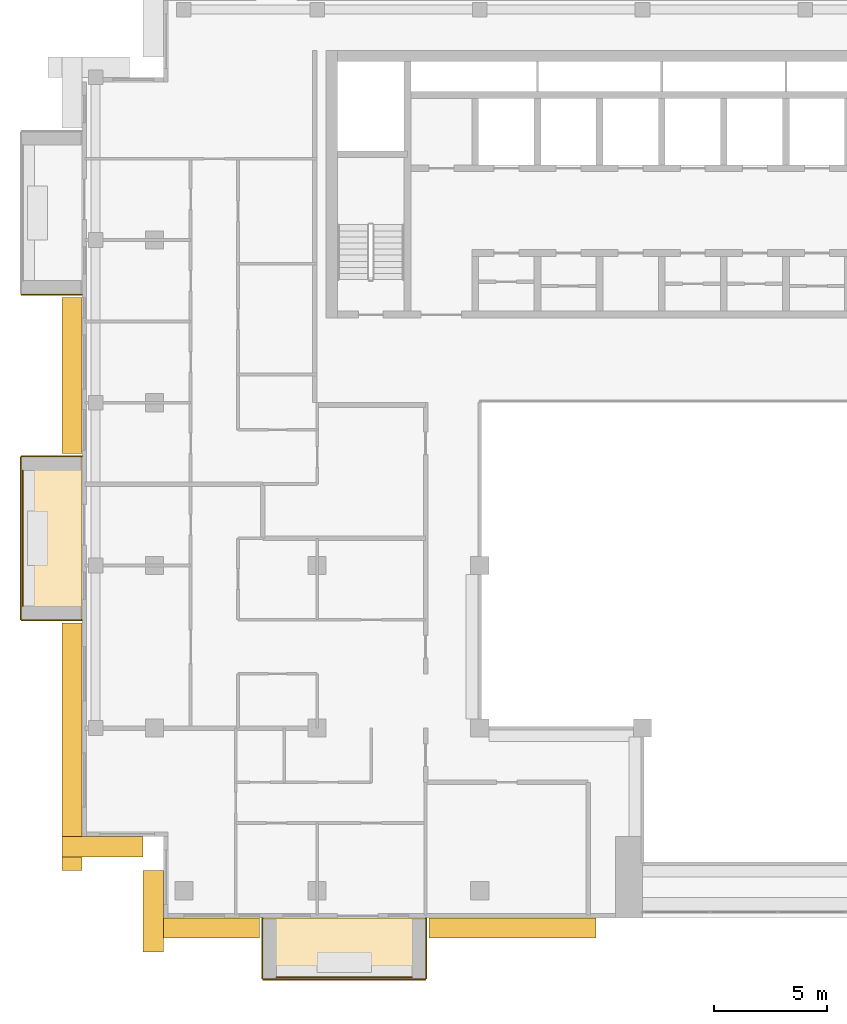
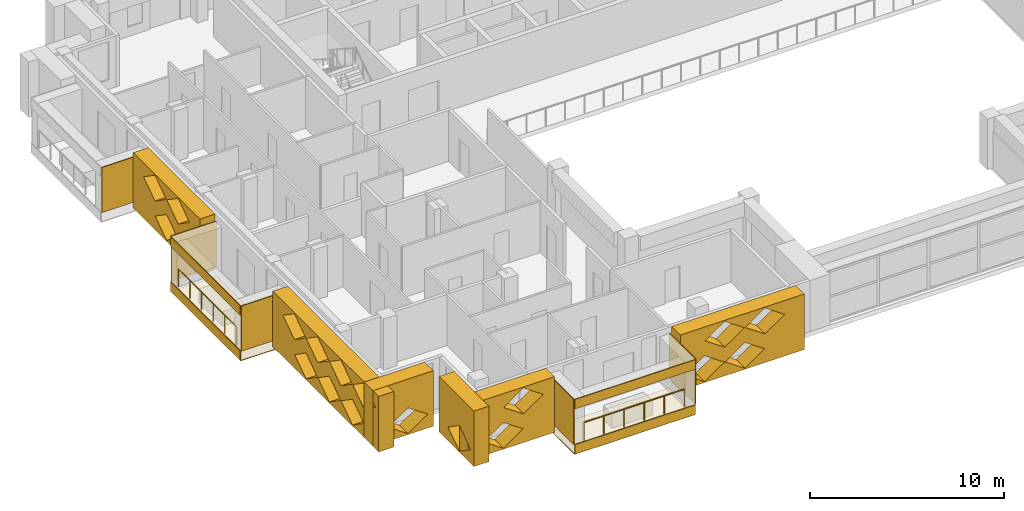
# One storey, part 13 of 19: 17 coverings, 2 railings.
"""IFC4 building model written with IfcOpenShell, lengths in metres."""

from ifc_helpers import new_model, si_unit, direction, frame, origin, origin_2d, place, context, subcontext, project, spatial, polyline, circle, outline, extrude, material, layer, layer_set, type_object, element, save


model = new_model("IFC4")

# Units and contexts
model_context = context("Model", 3, precision=1e-05, world=origin(), true_north=direction((0.0, 1.0)))
body_context = subcontext(model_context, "Body", "Model", "MODEL_VIEW")
ifc_project = project(units=[si_unit("LENGTHUNIT", "METRE"), si_unit("AREAUNIT", "SQUARE_METRE"), si_unit("VOLUMEUNIT", "CUBIC_METRE"), si_unit("PLANEANGLEUNIT", "RADIAN"), si_unit("MASSUNIT", "GRAM", prefix="KILO")], contexts=[model_context])

# Site, building, storey
site_placement = place(None, origin())
site = spatial("IfcSite", under=ifc_project, at=site_placement, CompositionType="ELEMENT")
building_placement = place(site_placement, origin())
building = spatial("IfcBuilding", under=site, at=building_placement, Name="Saffron Iwan Residences", CompositionType="ELEMENT")
storey_placement = place(building_placement, frame((0.0, 0.0, 239.5)))
storey = spatial("IfcBuildingStorey", under=building, at=storey_placement, Name="L64", CompositionType="ELEMENT", Elevation=239.5)

# Railings
ifc_material_1 = material(Name="Stainless steel 316", Category="steel")
railing_type = type_object("IfcRailingType", Name="BALCONY GUARD 1150", PredefinedType="GUARDRAIL", material=ifc_material_1)
railing_1_placement = place(storey_placement, frame((15.77490234375, 59.39990234375, 0.0)))
element("IfcRailing", 1, at=railing_1_placement, inside=storey, type_object=railing_type, Name="Balcony guard L64 F8-1", PredefinedType="GUARDRAIL", context=body_context, shape_type="SweptSolid", body=[
    extrude(circle(Radius=0.02392578125, at=origin_2d()), frame((0.0, 0.0, 1.1259765625), z_axis=(0.0, -1.0, 0.0), x_axis=(1.0, 0.0, 0.0)), (0.0, 0.0, 1.0), 6.0),
    extrude(circle(Radius=0.02099609375, at=origin_2d()), origin(), (0.0, 0.0, 1.0), 1.101806640625),
    extrude(circle(Radius=0.02099609375, at=origin_2d()), frame((0.0, -1.199951171875, 0.0)), (0.0, 0.0, 1.0), 1.101806640625),
    extrude(circle(Radius=0.02099609375, at=origin_2d()), frame((0.0, -2.39990234375, 0.0)), (0.0, 0.0, 1.0), 1.101806640625),
    extrude(circle(Radius=0.02099609375, at=origin_2d()), frame((0.0, -3.60009765625, 0.0)), (0.0, 0.0, 1.0), 1.101806640625),
    extrude(circle(Radius=0.02099609375, at=origin_2d()), frame((0.0, -4.800048828125, 0.0)), (0.0, 0.0, 1.0), 1.101806640625),
    extrude(circle(Radius=0.02099609375, at=origin_2d()), frame((0.0, -6.0, 0.0)), (0.0, 0.0, 1.0), 1.101806640625),
])
railing_2_placement = place(storey_placement, frame((27.0, 36.97509765625, 0.0)))
element("IfcRailing", 2, at=railing_2_placement, inside=storey, type_object=railing_type, Name="Balcony guard L64 11-0", PredefinedType="GUARDRAIL", context=body_context, shape_type="SweptSolid", body=[
    extrude(circle(Radius=0.02392578125, at=origin_2d()), frame((0.0, 0.0, 1.1259765625), z_axis=(1.0, 0.0, 0.0), x_axis=(0.0, 1.0, 0.0)), (0.0, 0.0, 1.0), 6.0),
    extrude(circle(Radius=0.02099609375, at=origin_2d()), origin(), (0.0, 0.0, 1.0), 1.101806640625),
    extrude(circle(Radius=0.02099609375, at=origin_2d()), frame((1.199951171875, 0.0, 0.0)), (0.0, 0.0, 1.0), 1.101806640625),
    extrude(circle(Radius=0.02099609375, at=origin_2d()), frame((2.39990234375, 0.0, 0.0)), (0.0, 0.0, 1.0), 1.101806640625),
    extrude(circle(Radius=0.02099609375, at=origin_2d()), frame((3.60009765625, 0.0, 0.0)), (0.0, 0.0, 1.0), 1.101806640625),
    extrude(circle(Radius=0.02099609375, at=origin_2d()), frame((4.800048828125, 0.0, 0.0)), (0.0, 0.0, 1.0), 1.101806640625),
    extrude(circle(Radius=0.02099609375, at=origin_2d()), frame((6.0, 0.0, 0.0)), (0.0, 0.0, 1.0), 1.101806640625),
])

# Coverings
ifc_material_2 = material(Name="Precast concrete C40/50 white painted", Category="concrete")
ifc_layer = layer(ifc_material_2, 0.050048828125)
ifc_layer_set = layer_set([ifc_layer], Name="Precast concrete C40/50 white painted")
covering_type_1 = type_object("IfcCoveringType", Name="FRAME SKIN PRECAST WHITE 50", PredefinedType="CLADDING", material=ifc_layer_set)
covering_1_placement = place(storey_placement, origin())
element("IfcCovering", 3, at=covering_1_placement, inside=storey, type_object=covering_type_1, Name="Frame skin fin L64 F8-0b", PredefinedType="CLADDING", context=body_context, shape_type="SweptSolid", body=[
    extrude(outline(polyline([(15.699951171875, 67.199951171875), (15.699951171875, 67.14990234375), (18.39990234375, 67.14990234375), (18.39990234375, 67.199951171875), (15.699951171875, 67.199951171875)])), origin(), (0.0, 0.0, 1.0), 2.85009765625),
])
for number, where, name in (
    (4, (0.0, 0.0, -0.60009765625), "Frame skin slab edge L64 F8-1"),
    (5, (0.0, 0.0, 2.25), "Frame skin fascia L64 F8-1"),
):
    element("IfcCovering", number, at=place(storey_placement, frame(where)), inside=storey, type_object=covering_type_1, Name=name, PredefinedType="CLADDING", context=body_context, shape_type="SweptSolid", body=[
        extrude(outline(polyline([(15.64990234375, 60.0), (15.64990234375, 52.800048828125), (15.699951171875, 52.800048828125), (15.699951171875, 60.0), (15.64990234375, 60.0)])), origin(), (0.0, 0.0, 1.0), 0.60009765625),
    ])
covering_2_placement = place(storey_placement, frame((0.0, 0.0, -0.64990234375)))
element("IfcCovering", 6, at=covering_2_placement, inside=storey, type_object=covering_type_1, Name="Frame skin soffit L64 F8-1", PredefinedType="CLADDING", context=body_context, shape_type="SweptSolid", body=[
    extrude(outline(polyline([(15.699951171875, 60.0), (15.699951171875, 52.800048828125), (18.39990234375, 52.800048828125), (18.39990234375, 60.0), (15.699951171875, 60.0)])), origin(), (0.0, 0.0, 1.0), 0.0498046875),
])
covering_3_placement = place(storey_placement, origin())
element("IfcCovering", 7, at=covering_3_placement, inside=storey, type_object=covering_type_1, Name="Frame skin fin L64 F8-1a", PredefinedType="CLADDING", context=body_context, shape_type="SweptSolid", body=[
    extrude(outline(polyline([(15.699951171875, 60.050048828125), (15.699951171875, 60.0), (18.39990234375, 60.0), (18.39990234375, 60.050048828125), (15.699951171875, 60.050048828125)])), origin(), (0.0, 0.0, 1.0), 2.85009765625),
])
covering_4_placement = place(storey_placement, origin())
element("IfcCovering", 8, at=covering_4_placement, inside=storey, type_object=covering_type_1, Name="Frame skin fin L64 F8-1b", PredefinedType="CLADDING", context=body_context, shape_type="SweptSolid", body=[
    extrude(outline(polyline([(15.699951171875, 52.800048828125), (15.699951171875, 52.75), (18.39990234375, 52.75), (18.39990234375, 52.800048828125), (15.699951171875, 52.800048828125)])), origin(), (0.0, 0.0, 1.0), 2.85009765625),
])
for number, where, name in (
    (9, (0.0, 0.0, -0.60009765625), "Frame skin slab edge L64 11-0"),
    (10, (0.0, 0.0, 2.25), "Frame skin fascia L64 11-0"),
):
    element("IfcCovering", number, at=place(storey_placement, frame(where)), inside=storey, type_object=covering_type_1, Name=name, PredefinedType="CLADDING", context=body_context, shape_type="SweptSolid", body=[
        extrude(outline(polyline([(26.39990234375, 36.85009765625), (33.60009765625, 36.85009765625), (33.60009765625, 36.89990234375), (26.39990234375, 36.89990234375), (26.39990234375, 36.85009765625)])), origin(), (0.0, 0.0, 1.0), 0.60009765625),
    ])
covering_5_placement = place(storey_placement, frame((0.0, 0.0, -0.64990234375)))
element("IfcCovering", 11, at=covering_5_placement, inside=storey, type_object=covering_type_1, Name="Frame skin soffit L64 11-0", PredefinedType="CLADDING", context=body_context, shape_type="SweptSolid", body=[
    extrude(outline(polyline([(26.39990234375, 36.89990234375), (33.60009765625, 36.89990234375), (33.60009765625, 39.60009765625), (26.39990234375, 39.60009765625), (26.39990234375, 36.89990234375)])), origin(), (0.0, 0.0, 1.0), 0.0498046875),
])
covering_6_placement = place(storey_placement, origin())
element("IfcCovering", 12, at=covering_6_placement, inside=storey, type_object=covering_type_1, Name="Frame skin fin L64 11-0a", PredefinedType="CLADDING", context=body_context, shape_type="SweptSolid", body=[
    extrude(outline(polyline([(26.35009765625, 36.89990234375), (26.39990234375, 36.89990234375), (26.39990234375, 39.60009765625), (26.35009765625, 39.60009765625), (26.35009765625, 36.89990234375)])), origin(), (0.0, 0.0, 1.0), 2.85009765625),
])
covering_7_placement = place(storey_placement, origin())
element("IfcCovering", 13, at=covering_7_placement, inside=storey, type_object=covering_type_1, Name="Frame skin fin L64 11-0b", PredefinedType="CLADDING", context=body_context, shape_type="SweptSolid", body=[
    extrude(outline(polyline([(33.60009765625, 36.89990234375), (33.64990234375, 36.89990234375), (33.64990234375, 39.60009765625), (33.60009765625, 39.60009765625), (33.60009765625, 36.89990234375)])), origin(), (0.0, 0.0, 1.0), 2.85009765625),
])
ifc_material_3 = material(Name="Precast concrete C40/50", Category="concrete")
covering_type_2 = type_object("IfcCoveringType", Name="OUTER SKIN LATTICE SCREEN", PredefinedType="CLADDING", material=ifc_material_3)
covering_8_placement = place(storey_placement, frame((18.39990234375, 67.050048828125, -0.280029296875), z_axis=(-1.0, 0.0, 0.0), x_axis=(0.0, -1.0, 0.0)))
element("IfcCovering", 14, at=covering_8_placement, inside=storey, type_object=covering_type_2, Name="OUTER SKIN lattice screen L64 F8.1", PredefinedType="CLADDING", context=body_context, shape_type="SweptSolid", body=[
    extrude(outline(polyline([(0.0, 0.0), (6.89990234375, 0.0), (6.89990234375, 3.5), (0.0, 3.5), (0.0, 0.0)]), holes=[polyline([(2.27001953125, 0.875), (3.449951171875, 0.06005859375), (4.6298828125, 0.875), (3.449951171875, 1.68994140625), (2.27001953125, 0.875)]), polyline([(1.070068359375, 2.625), (2.25, 1.81005859375), (3.429931640625, 2.625), (2.25, 3.43994140625), (1.070068359375, 2.625)]), polyline([(3.469970703125, 2.625), (4.64990234375, 1.81005859375), (5.830078125, 2.625), (4.64990234375, 3.43994140625), (3.469970703125, 2.625)])]), origin(), (0.0, 0.0, 1.0), 0.89990234375),
])
covering_9_placement = place(storey_placement, frame((18.39990234375, 52.64990234375, -0.280029296875), z_axis=(-1.0, 0.0, 0.0), x_axis=(0.0, -1.0, 0.0)))
element("IfcCovering", 15, at=covering_9_placement, inside=storey, type_object=covering_type_2, Name="OUTER SKIN lattice screen L64 F8.2", PredefinedType="CLADDING", context=body_context, shape_type="SweptSolid", body=[
    extrude(outline(polyline([(0.0, 0.0), (10.949951171875, 0.0), (10.949951171875, 3.5), (0.0, 3.5), (0.0, 0.0)]), holes=[polyline([(2.27001953125, 0.875), (3.449951171875, 0.06005859375), (4.6298828125, 0.875), (3.449951171875, 1.68994140625), (2.27001953125, 0.875)]), polyline([(4.669921875, 0.875), (5.85009765625, 0.06005859375), (7.030029296875, 0.875), (5.85009765625, 1.68994140625), (4.669921875, 0.875)]), polyline([(7.070068359375, 0.875), (8.25, 0.06005859375), (9.429931640625, 0.875), (8.25, 1.68994140625), (7.070068359375, 0.875)]), polyline([(1.070068359375, 2.625), (2.25, 1.81005859375), (3.429931640625, 2.625), (2.25, 3.43994140625), (1.070068359375, 2.625)]), polyline([(3.469970703125, 2.625), (4.64990234375, 1.81005859375), (5.830078125, 2.625), (4.64990234375, 3.43994140625), (3.469970703125, 2.625)]), polyline([(5.8701171875, 2.625), (7.050048828125, 1.81005859375), (8.22998046875, 2.625), (7.050048828125, 3.43994140625), (5.8701171875, 2.625)]), polyline([(8.27001953125, 2.625), (9.449951171875, 1.81005859375), (10.6298828125, 2.625), (9.449951171875, 3.43994140625), (8.27001953125, 2.625)])]), origin(), (0.0, 0.0, 1.0), 0.89990234375),
])
for number, where, z_axis, x_axis, name in (
    (16, (17.5, 43.199951171875, -0.280029296875), (0.0, -1.0, 0.0), (1.0, 0.0, 0.0), "OUTER SKIN lattice screen L64 F9.0"),
    (17, (22.0, 41.699951171875, -0.280029296875), (-1.0, 0.0, 0.0), (0.0, -1.0, 0.0), "OUTER SKIN lattice screen L64 F10.0"),
):
    element("IfcCovering", number, at=place(storey_placement, frame(where, z_axis=z_axis, x_axis=x_axis)), inside=storey, type_object=covering_type_2, Name=name, PredefinedType="CLADDING", context=body_context, shape_type="SweptSolid", body=[
        extrude(outline(polyline([(0.0, 0.0), (3.60009765625, 0.0), (3.60009765625, 3.5), (0.0, 3.5), (0.0, 0.0)]), holes=[polyline([(0.919921875, 0.875), (2.10009765625, 0.06005859375), (3.280029296875, 0.875), (2.10009765625, 1.68994140625), (0.919921875, 0.875)])]), origin(), (0.0, 0.0, 1.0), 0.89990234375),
    ])
covering_10_placement = place(storey_placement, frame((21.10009765625, 39.60009765625, -0.280029296875), z_axis=(0.0, -1.0, 0.0), x_axis=(1.0, 0.0, 0.0)))
element("IfcCovering", 18, at=covering_10_placement, inside=storey, type_object=covering_type_2, Name="OUTER SKIN lattice screen L64 F11.0", PredefinedType="CLADDING", context=body_context, shape_type="SweptSolid", body=[
    extrude(outline(polyline([(0.0, 0.0), (5.14990234375, 0.0), (5.14990234375, 3.5), (0.0, 3.5), (0.0, 0.0)]), holes=[polyline([(0.919921875, 0.875), (2.10009765625, 0.06005859375), (3.280029296875, 0.875), (2.10009765625, 1.68994140625), (0.919921875, 0.875)]), polyline([(2.1201171875, 2.625), (3.300048828125, 1.81005859375), (4.47998046875, 2.625), (3.300048828125, 3.43994140625), (2.1201171875, 2.625)])]), origin(), (0.0, 0.0, 1.0), 0.900146484375),
])
covering_11_placement = place(storey_placement, frame((33.75, 39.60009765625, -0.280029296875), z_axis=(0.0, -1.0, 0.0), x_axis=(1.0, 0.0, 0.0)))
element("IfcCovering", 19, at=covering_11_placement, inside=storey, type_object=covering_type_2, Name="OUTER SKIN lattice screen L64 F11.1", PredefinedType="CLADDING", context=body_context, shape_type="SweptSolid", body=[
    extrude(outline(polyline([(0.0, 0.0), (7.39990234375, 0.0), (7.39990234375, 3.5), (0.0, 3.5), (0.0, 0.0)]), holes=[polyline([(0.27001953125, 0.875), (1.449951171875, 0.06005859375), (2.6298828125, 0.875), (1.449951171875, 1.68994140625), (0.27001953125, 0.875)]), polyline([(2.669921875, 0.875), (3.85009765625, 0.06005859375), (5.030029296875, 0.875), (3.85009765625, 1.68994140625), (2.669921875, 0.875)]), polyline([(1.469970703125, 2.625), (2.64990234375, 1.81005859375), (3.830078125, 2.625), (2.64990234375, 3.43994140625), (1.469970703125, 2.625)]), polyline([(3.8701171875, 2.625), (5.050048828125, 1.81005859375), (6.22998046875, 2.625), (5.050048828125, 3.43994140625), (3.8701171875, 2.625)])]), origin(), (0.0, 0.0, 1.0), 0.900146484375),
])

save(model, "model.ifc")
